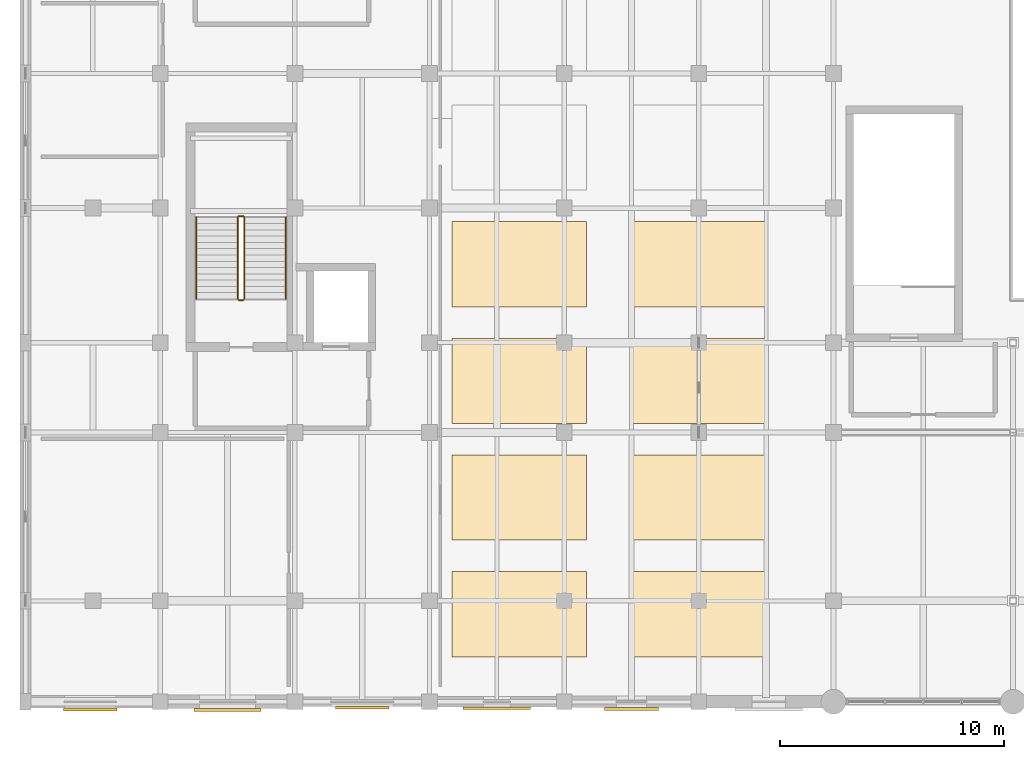
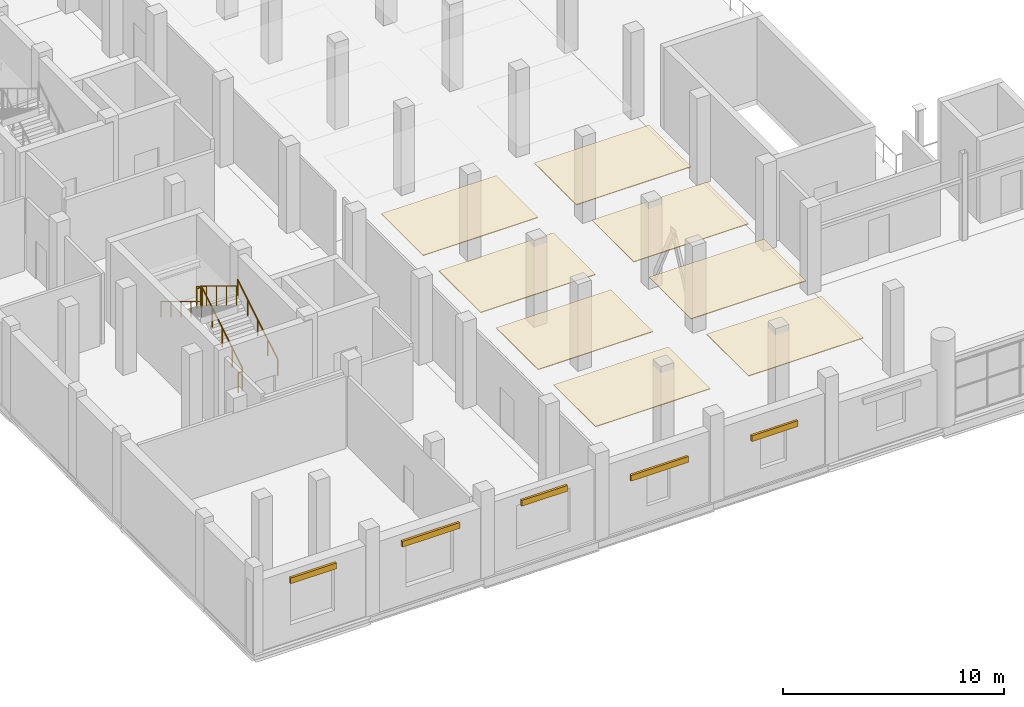
# One storey, part 105 of 114: 8 coverings, 6 railings, 5 shading devices.
"""IFC4 building model written with IfcOpenShell, lengths in metres."""

from ifc_helpers import new_model, si_unit, direction, frame, origin, origin_2d, place, context, subcontext, project, spatial, polyline, rectangle, circle, outline, extrude, material, layer, layer_set, type_object, element, save


model = new_model("IFC4")

# Units and contexts
model_context = context("Model", 3, precision=1e-05, world=origin(), true_north=direction((0.0, 1.0)))
body_context = subcontext(model_context, "Body", "Model", "MODEL_VIEW")
ifc_project = project(units=[si_unit("LENGTHUNIT", "METRE"), si_unit("AREAUNIT", "SQUARE_METRE"), si_unit("VOLUMEUNIT", "CUBIC_METRE"), si_unit("PLANEANGLEUNIT", "RADIAN"), si_unit("MASSUNIT", "GRAM", prefix="KILO")], contexts=[model_context])

# Site, building, storey
site_placement = place(None, origin())
site = spatial("IfcSite", under=ifc_project, at=site_placement, CompositionType="ELEMENT")
building_placement = place(site_placement, origin())
building = spatial("IfcBuilding", under=site, at=building_placement, Name="Verrall Gate Interchange", CompositionType="ELEMENT")
storey_placement = place(building_placement, frame((0.0, 0.0, 6.60009765625)))
storey = spatial("IfcBuildingStorey", under=building, at=storey_placement, Name="L02", CompositionType="ELEMENT", Elevation=6.60009765625)

# Coverings
ifc_material_1 = material(Name="Micro-Perforated Acoustic Timber-Veneer Baffle Ceiling", Category="wood")
ifc_layer = layer(ifc_material_1, 0.0400390625)
ifc_layer_set = layer_set([ifc_layer], Name="Micro-Perforated Acoustic Timber-Veneer Baffle Ceiling")
covering_type = type_object("IfcCoveringType", Name="CLG-01 Acoustic Timber-Veneer Baffle Ceiling", PredefinedType="CEILING", material=ifc_layer_set)
covering_1_placement = place(storey_placement, frame((0.0, 0.0, 4.39990234375)))
element("IfcCovering", 1, at=covering_1_placement, inside=storey, type_object=covering_type, Name="L02 Acoustic Timber-Veneer Ceiling Coffer 01", PredefinedType="CEILING", context=body_context, shape_type="SweptSolid", body=[
    extrude(outline(polyline([(19.0, 2.0), (25.0, 2.0), (25.0, 5.800048828125), (19.0, 5.800048828125), (19.0, 2.0)])), origin(), (0.0, 0.0, 1.0), 0.0400390625),
])
covering_2_placement = place(storey_placement, frame((0.0, 0.0, 4.39990234375)))
element("IfcCovering", 2, at=covering_2_placement, inside=storey, type_object=covering_type, Name="L02 Acoustic Timber-Veneer Ceiling Coffer 02", PredefinedType="CEILING", context=body_context, shape_type="SweptSolid", body=[
    extrude(outline(polyline([(27.0, 2.0), (33.0, 2.0), (33.0, 5.800048828125), (27.0, 5.800048828125), (27.0, 2.0)])), origin(), (0.0, 0.0, 1.0), 0.0400390625),
])
covering_3_placement = place(storey_placement, frame((0.0, 0.0, 4.39990234375)))
element("IfcCovering", 3, at=covering_3_placement, inside=storey, type_object=covering_type, Name="L02 Acoustic Timber-Veneer Ceiling Coffer 03", PredefinedType="CEILING", context=body_context, shape_type="SweptSolid", body=[
    extrude(outline(polyline([(19.0, 7.199951171875), (25.0, 7.199951171875), (25.0, 11.0), (19.0, 11.0), (19.0, 7.199951171875)])), origin(), (0.0, 0.0, 1.0), 0.0400390625),
])
covering_4_placement = place(storey_placement, frame((0.0, 0.0, 4.39990234375)))
element("IfcCovering", 4, at=covering_4_placement, inside=storey, type_object=covering_type, Name="L02 Acoustic Timber-Veneer Ceiling Coffer 04", PredefinedType="CEILING", context=body_context, shape_type="SweptSolid", body=[
    extrude(outline(polyline([(27.0, 7.199951171875), (33.0, 7.199951171875), (33.0, 11.0), (27.0, 11.0), (27.0, 7.199951171875)])), origin(), (0.0, 0.0, 1.0), 0.0400390625),
])
covering_5_placement = place(storey_placement, frame((0.0, 0.0, 4.39990234375)))
element("IfcCovering", 5, at=covering_5_placement, inside=storey, type_object=covering_type, Name="L02 Acoustic Timber-Veneer Ceiling Coffer 05", PredefinedType="CEILING", context=body_context, shape_type="SweptSolid", body=[
    extrude(outline(polyline([(19.0, 12.39990234375), (25.0, 12.39990234375), (25.0, 16.199951171875), (19.0, 16.199951171875), (19.0, 12.39990234375)])), origin(), (0.0, 0.0, 1.0), 0.0400390625),
])
covering_6_placement = place(storey_placement, frame((0.0, 0.0, 4.39990234375)))
element("IfcCovering", 6, at=covering_6_placement, inside=storey, type_object=covering_type, Name="L02 Acoustic Timber-Veneer Ceiling Coffer 06", PredefinedType="CEILING", context=body_context, shape_type="SweptSolid", body=[
    extrude(outline(polyline([(27.0, 12.39990234375), (33.0, 12.39990234375), (33.0, 16.199951171875), (27.0, 16.199951171875), (27.0, 12.39990234375)])), origin(), (0.0, 0.0, 1.0), 0.0400390625),
])
covering_7_placement = place(storey_placement, frame((0.0, 0.0, 4.39990234375)))
element("IfcCovering", 7, at=covering_7_placement, inside=storey, type_object=covering_type, Name="L02 Acoustic Timber-Veneer Ceiling Coffer 07", PredefinedType="CEILING", context=body_context, shape_type="SweptSolid", body=[
    extrude(outline(polyline([(19.0, 17.60009765625), (25.0, 17.60009765625), (25.0, 21.39990234375), (19.0, 21.39990234375), (19.0, 17.60009765625)])), origin(), (0.0, 0.0, 1.0), 0.0400390625),
])
covering_8_placement = place(storey_placement, frame((0.0, 0.0, 4.39990234375)))
element("IfcCovering", 8, at=covering_8_placement, inside=storey, type_object=covering_type, Name="L02 Acoustic Timber-Veneer Ceiling Coffer 08", PredefinedType="CEILING", context=body_context, shape_type="SweptSolid", body=[
    extrude(outline(polyline([(27.0, 17.60009765625), (33.0, 17.60009765625), (33.0, 21.39990234375), (27.0, 21.39990234375), (27.0, 17.60009765625)])), origin(), (0.0, 0.0, 1.0), 0.0400390625),
])

# Railings
ifc_material_2 = material(Name="Brushed Stainless-Steel Guardrail and Handrail System", Category="steel")
railing_type_1 = type_object("IfcRailingType", Name="GR-02 Interior Atrium and Stair Guardrail 1100", PredefinedType="GUARDRAIL", material=ifc_material_2)
railing_1_placement = place(storey_placement, frame((9.75, 17.949951171875, 0.17138671875)))
element("IfcRailing", 9, at=railing_1_placement, inside=storey, type_object=railing_type_1, Name="L02 ST-01 stair guard 1", PredefinedType="GUARDRAIL", context=body_context, shape_type="SweptSolid", body=[
    extrude(circle(Radius=0.02392578125, at=origin_2d()), frame((0.0, 0.0, 1.076171875), z_axis=(0.0, 0.852865859571, 0.52213008492), x_axis=(-1.0, 0.0, 0.0)), (0.0, 0.0, 1.0), 4.26806640625),
    extrude(circle(Radius=0.02099609375, at=origin_2d()), origin(), (0.0, 0.0, 1.0), 1.052001953125),
    extrude(circle(Radius=0.02099609375, at=origin_2d()), frame((0.0, 0.91015625, 0.55712890625)), (0.0, 0.0, 1.0), 1.052001953125),
    extrude(circle(Radius=0.02099609375, at=origin_2d()), frame((0.0, 1.820068359375, 1.1142578125)), (0.0, 0.0, 1.0), 1.052001953125),
    extrude(circle(Radius=0.02099609375, at=origin_2d()), frame((0.0, 2.72998046875, 1.67138671875)), (0.0, 0.0, 1.0), 1.052001953125),
    extrude(circle(Radius=0.02099609375, at=origin_2d()), frame((0.0, 3.64013671875, 2.228515625)), (0.0, 0.0, 1.0), 1.052001953125),
])
railing_2_placement = place(storey_placement, frame((9.699951171875, 21.639892578125, 2.39990234375)))
element("IfcRailing", 10, at=railing_2_placement, inside=storey, type_object=railing_type_1, Name="L02 ST-01 stair guard 2", PredefinedType="GUARDRAIL", context=body_context, shape_type="SweptSolid", body=[
    extrude(circle(Radius=0.02392578125, at=origin_2d()), frame((0.0, 0.0, 1.076171875), z_axis=(-1.0, 0.0, 0.0), x_axis=(0.0, -1.0, 0.0)), (0.0, 0.0, 1.0), 0.199951171875),
    extrude(circle(Radius=0.02099609375, at=origin_2d()), origin(), (0.0, 0.0, 1.0), 1.052001953125),
    extrude(circle(Radius=0.02099609375, at=origin_2d()), frame((-0.199951171875, 0.0, 0.0)), (0.0, 0.0, 1.0), 1.052001953125),
])
railing_3_placement = place(storey_placement, frame((9.449951171875, 21.590087890625, 2.5712890625)))
element("IfcRailing", 11, at=railing_3_placement, inside=storey, type_object=railing_type_1, Name="L02 ST-01 stair guard 3", PredefinedType="GUARDRAIL", context=body_context, shape_type="SweptSolid", body=[
    extrude(circle(Radius=0.02392578125, at=origin_2d()), frame((0.0, 0.0, 1.076171875), z_axis=(0.0, -0.852865859571, 0.52213008492), x_axis=(1.0, 0.0, 0.0)), (0.0, 0.0, 1.0), 4.26806640625),
    extrude(circle(Radius=0.02099609375, at=origin_2d()), origin(), (0.0, 0.0, 1.0), 1.052001953125),
    extrude(circle(Radius=0.02099609375, at=origin_2d()), frame((0.0, -0.91015625, 0.55712890625)), (0.0, 0.0, 1.0), 1.052001953125),
    extrude(circle(Radius=0.02099609375, at=origin_2d()), frame((0.0, -1.820068359375, 1.1142578125)), (0.0, 0.0, 1.0), 1.052001953125),
    extrude(circle(Radius=0.02099609375, at=origin_2d()), frame((0.0, -2.72998046875, 1.67138671875)), (0.0, 0.0, 1.0), 1.052001953125),
    extrude(circle(Radius=0.02099609375, at=origin_2d()), frame((0.0, -3.64013671875, 2.228515625)), (0.0, 0.0, 1.0), 1.052001953125),
])
railing_4_placement = place(storey_placement, frame((9.699951171875, 17.89990234375, 0.0)))
element("IfcRailing", 12, at=railing_4_placement, inside=storey, type_object=railing_type_1, Name="L02 ST-01 stair guard 4", PredefinedType="GUARDRAIL", context=body_context, shape_type="SweptSolid", body=[
    extrude(circle(Radius=0.02392578125, at=origin_2d()), frame((0.0, 0.0, 1.076171875), z_axis=(-1.0, 0.0, 0.0), x_axis=(0.0, -1.0, 0.0)), (0.0, 0.0, 1.0), 0.199951171875),
    extrude(circle(Radius=0.02099609375, at=origin_2d()), origin(), (0.0, 0.0, 1.0), 1.052001953125),
    extrude(circle(Radius=0.02099609375, at=origin_2d()), frame((-0.199951171875, 0.0, 0.0)), (0.0, 0.0, 1.0), 1.052001953125),
])
ifc_material_3 = material(Name="Brushed Stainless-Steel Guardrail and Handrail System", Category="steel")
railing_type_2 = type_object("IfcRailingType", Name="HR-01 Stair and Ramp Pitch-Line Handrail 920", PredefinedType="HANDRAIL", material=ifc_material_3)
railing_5_placement = place(storey_placement, frame((11.60009765625, 17.949951171875, 0.17138671875)))
element("IfcRailing", 13, at=railing_5_placement, inside=storey, type_object=railing_type_2, Name="L02 ST-01 stair handrail 1", PredefinedType="HANDRAIL", context=body_context, shape_type="SweptSolid", body=[
    extrude(circle(Radius=0.02392578125, at=origin_2d()), frame((0.0, 0.0, 0.8759765625), z_axis=(0.0, 0.852865859571, 0.52213008492), x_axis=(-1.0, 0.0, 0.0)), (0.0, 0.0, 1.0), 4.26806640625),
    extrude(circle(Radius=0.02099609375, at=origin_2d()), origin(), (0.0, 0.0, 1.0), 0.851806640625),
    extrude(circle(Radius=0.02099609375, at=origin_2d()), frame((0.0, 0.91015625, 0.55712890625)), (0.0, 0.0, 1.0), 0.851806640625),
    extrude(circle(Radius=0.02099609375, at=origin_2d()), frame((0.0, 1.820068359375, 1.1142578125)), (0.0, 0.0, 1.0), 0.851806640625),
    extrude(circle(Radius=0.02099609375, at=origin_2d()), frame((0.0, 2.72998046875, 1.67138671875)), (0.0, 0.0, 1.0), 0.851806640625),
    extrude(circle(Radius=0.02099609375, at=origin_2d()), frame((0.0, 3.64013671875, 2.228515625)), (0.0, 0.0, 1.0), 0.851806640625),
])
railing_6_placement = place(storey_placement, frame((7.60009765625, 21.590087890625, 2.5712890625)))
element("IfcRailing", 14, at=railing_6_placement, inside=storey, type_object=railing_type_2, Name="L02 ST-01 stair handrail 2", PredefinedType="HANDRAIL", context=body_context, shape_type="SweptSolid", body=[
    extrude(circle(Radius=0.02392578125, at=origin_2d()), frame((0.0, 0.0, 0.8759765625), z_axis=(0.0, -0.852865859571, 0.52213008492), x_axis=(1.0, 0.0, 0.0)), (0.0, 0.0, 1.0), 4.26806640625),
    extrude(circle(Radius=0.02099609375, at=origin_2d()), origin(), (0.0, 0.0, 1.0), 0.851806640625),
    extrude(circle(Radius=0.02099609375, at=origin_2d()), frame((0.0, -0.91015625, 0.55712890625)), (0.0, 0.0, 1.0), 0.851806640625),
    extrude(circle(Radius=0.02099609375, at=origin_2d()), frame((0.0, -1.820068359375, 1.1142578125)), (0.0, 0.0, 1.0), 0.851806640625),
    extrude(circle(Radius=0.02099609375, at=origin_2d()), frame((0.0, -2.72998046875, 1.67138671875)), (0.0, 0.0, 1.0), 0.851806640625),
    extrude(circle(Radius=0.02099609375, at=origin_2d()), frame((0.0, -3.64013671875, 2.228515625)), (0.0, 0.0, 1.0), 0.851806640625),
])

# Shading devices
ifc_material_4 = material(Name="Architectural Bronze Anodized Extruded Louvre Assembly", Category="aluminium")
shading_device_type_1 = type_object("IfcShadingDeviceType", Name="LV-01 Architectural Intake Louvre 2400x1200", PredefinedType="JALOUSIE", material=ifc_material_4)
for number, where, z_axis, x_axis, name in (
    (15, (2.87890625, -0.340087890625, 3.259765625), (0.0, 0.0, 1.0), (1.0, 0.0, 0.0), "L02 Architectural Bronze Brise-Soleil Louvre 001"),
    (16, (15.0, -0.27001953125, 3.259765625), (0.0, 0.0, 1.0), (1.0, 0.0, 0.0), "L02 Architectural Bronze Brise-Soleil Louvre 003"),
    (17, (27.0, -0.320068359375, 2.65966796875), (0.0, 0.0, 1.0), (1.0, 0.0, 0.0), "L02 Architectural Bronze Brise-Soleil Louvre 005"),
):
    element("IfcShadingDevice", number, at=place(storey_placement, frame(where, z_axis=z_axis, x_axis=x_axis)), inside=storey, type_object=shading_device_type_1, Name=name, PredefinedType="JALOUSIE", context=body_context, shape_type="SweptSolid", body=[
        extrude(rectangle(XDim=2.39990234375, YDim=0.1201171875, at=origin_2d()), origin(), (0.0, 0.0, 1.0), 0.320068359375),
    ])
ifc_material_5 = material(Name="Architectural Bronze Anodized Extruded Louvre Assembly", Category="aluminium")
shading_device_type_2 = type_object("IfcShadingDeviceType", Name="LV-02 Architectural Intake Louvre 3000x1400", PredefinedType="JALOUSIE", material=ifc_material_5)
for number, where, z_axis, x_axis, name in (
    (18, (9.0, -0.3701171875, 3.259765625), (0.0, 0.0, 1.0), (1.0, 0.0, 0.0), "L02 Architectural Bronze Brise-Soleil Louvre 002"),
    (19, (21.0, -0.2900390625, 2.65966796875), (0.0, 0.0, 1.0), (1.0, 0.0, 0.0), "L02 Architectural Bronze Brise-Soleil Louvre 004"),
):
    element("IfcShadingDevice", number, at=place(storey_placement, frame(where, z_axis=z_axis, x_axis=x_axis)), inside=storey, type_object=shading_device_type_2, Name=name, PredefinedType="JALOUSIE", context=body_context, shape_type="SweptSolid", body=[
        extrude(rectangle(XDim=3.0, YDim=0.1201171875, at=origin_2d()), origin(), (0.0, 0.0, 1.0), 0.320068359375),
    ])

save(model, "model.ifc")
